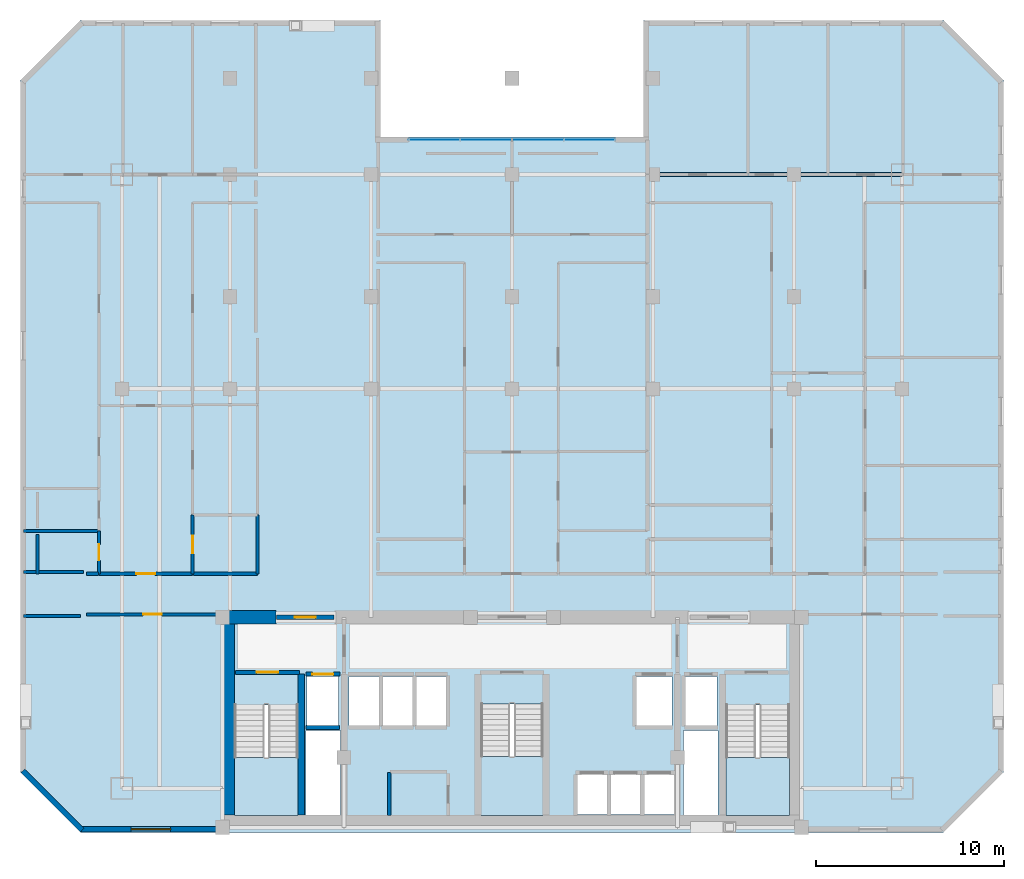
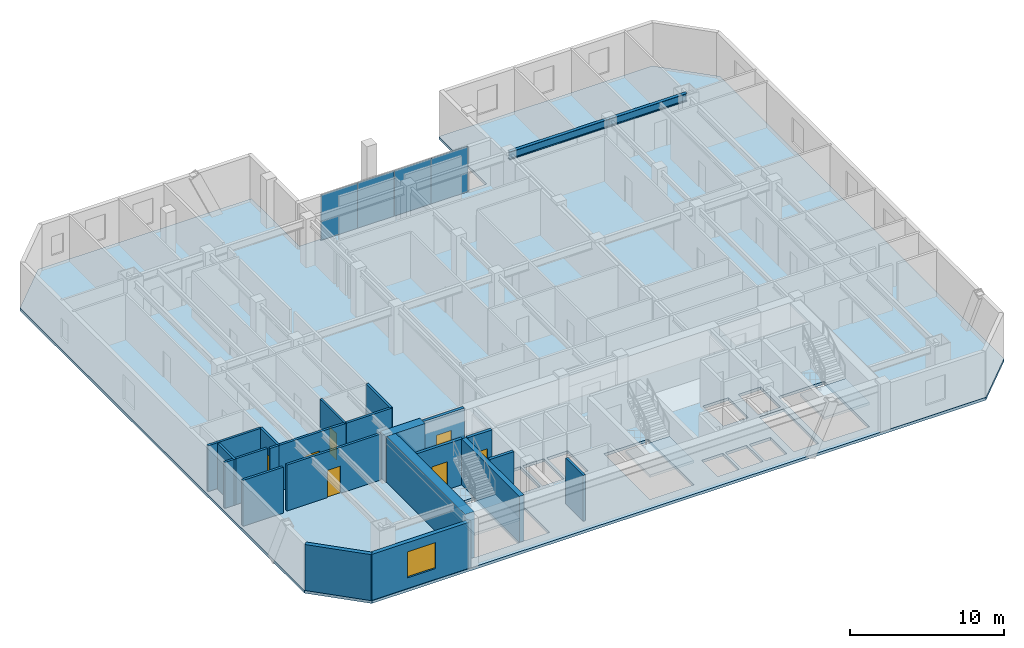
# One storey, part 3 of 9: 21 walls, 7 doors, 4 plates, 4 slabs, 2 beams, 1 window, 8 openings, 4 elements without a shape of their own.
"""IFC4 building model written with IfcOpenShell, lengths in metres."""

from ifc_helpers import new_model, si_unit, direction, frame, frame_2d, origin, origin_2d, place, context, subcontext, project, spatial, polyline, rectangle, i_section, outline, extrude, material, layer, layer_set, material_profile, profile_set, type_object, element, fill, aggregate, save


model = new_model("IFC4")

# Units and contexts
model_context = context("Model", 3, precision=1e-05, world=origin(), true_north=direction((0.0, 1.0)))
body_context = subcontext(model_context, "Body", "Model", "MODEL_VIEW")
ifc_project = project(units=[si_unit("LENGTHUNIT", "METRE"), si_unit("AREAUNIT", "SQUARE_METRE"), si_unit("VOLUMEUNIT", "CUBIC_METRE"), si_unit("PLANEANGLEUNIT", "RADIAN"), si_unit("MASSUNIT", "GRAM", prefix="KILO")], contexts=[model_context])

# Site, building, storey
site_placement = place(None, origin())
site = spatial("IfcSite", under=ifc_project, at=site_placement, CompositionType="ELEMENT")
building_placement = place(site_placement, origin())
building = spatial("IfcBuilding", under=site, at=building_placement, Name="Ventersveld Concourse Tower", CompositionType="ELEMENT")
storey_placement = place(building_placement, frame((0.0, 0.0, 145.199951171875)))
storey = spatial("IfcBuildingStorey", under=building, at=storey_placement, Name="L35", CompositionType="ELEMENT", Elevation=145.199951171875)

# Beams
ifc_material_1 = material(Name="Structural steel S355J2", Category="steel")
ifc_material_profile = material_profile(ifc_material_1, i_section(OverallWidth=0.230224609375, OverallDepth=0.6171875, WebThickness=0.01318359375, FlangeThickness=0.022216796875, FilletRadius=0.0126953125, at=origin_2d()), Name="UB 610x229x140")
ifc_profile_set = profile_set([ifc_material_profile], Name="Structural steel S355J2")
beam_type = type_object("IfcBeamType", Name="GRD-UB610", PredefinedType="USERDEFINED", material=ifc_profile_set)
beam_1_placement = place(storey_placement, frame((36.25, 35.0, 3.321533203125), z_axis=(1.0, 0.0, 0.0), x_axis=(0.0, 1.0, 0.0)))
element("IfcBeam", 1, at=beam_1_placement, inside=storey, type_object=beam_type, Name="L35 E-W Grid Girder Y=35.00 #5", ObjectType="GIRDER", PredefinedType="USERDEFINED", context=body_context, shape_type="SweptSolid", body=[
    extrude(i_section(OverallWidth=0.230224609375, OverallDepth=0.6171875, WebThickness=0.01318359375, FlangeThickness=0.022216796875, FilletRadius=0.0126953125, at=origin_2d()), origin(), (0.0, 0.0, 1.0), 7.5),
])
beam_2_placement = place(storey_placement, frame((43.75, 35.0, 3.321533203125), z_axis=(1.0, 0.0, 0.0), x_axis=(0.0, 1.0, 0.0)))
element("IfcBeam", 2, at=beam_2_placement, inside=storey, type_object=beam_type, Name="L35 E-W Grid Girder Y=35.00 #6", ObjectType="GIRDER", PredefinedType="USERDEFINED", context=body_context, shape_type="SweptSolid", body=[
    extrude(i_section(OverallWidth=0.230224609375, OverallDepth=0.6171875, WebThickness=0.01318359375, FlangeThickness=0.022216796875, FilletRadius=0.0126953125, at=origin_2d()), origin(), (0.0, 0.0, 1.0), 5.75),
])

# Curtain wall, plates
ifc_material_2 = material(Name="Anodised aluminium EN AW-6063-T6", Category="aluminium")
curtain_wall_type = type_object("IfcCurtainWallType", Name="CW-SG-4", PredefinedType="NOTDEFINED", material=ifc_material_2)
curtain_wall_placement = place(storey_placement, origin())
curtain_wall = element("IfcCurtainWall", 3, at=curtain_wall_placement, inside=storey, type_object=curtain_wall_type, Name="L35 L35 Sky Garden Recessed Curtain Wall", PredefinedType="NOTDEFINED")
ifc_material_3 = material(Name="Low-E double glazing IGU", Category="glass")
ifc_layer_1 = layer(ifc_material_3, 0.02392578125)
ifc_layer_set_1 = layer_set([ifc_layer_1], Name="Low-E double glazing IGU")
plate_type = type_object("IfcPlateType", Name="CWP-GLZ-24", PredefinedType="CURTAIN_PANEL", material=ifc_layer_set_1)
plate_1_placement = place(storey_placement, frame((24.625, 36.85009765625, 0.02001953125), z_axis=(0.0, 0.0, 1.0), x_axis=(1.0, 0.0, 0.0)))
plate_1 = element("IfcPlate", 4, at=plate_1_placement, type_object=plate_type, Name="CW-L35-SG Glazed Panel 01-1", PredefinedType="CURTAIN_PANEL", context=body_context, shape_type="SweptSolid", body=[
    extrude(rectangle(XDim=2.739990234375, YDim=0.02392578125, at=origin_2d()), origin(), (0.0, 0.0, 1.0), 3.590087890625),
])
plate_2_placement = place(storey_placement, frame((27.375, 36.85009765625, 0.02001953125), z_axis=(0.0, 0.0, 1.0), x_axis=(1.0, 0.0, 0.0)))
plate_2 = element("IfcPlate", 5, at=plate_2_placement, type_object=plate_type, Name="CW-L35-SG Glazed Panel 02-1", PredefinedType="CURTAIN_PANEL", context=body_context, shape_type="SweptSolid", body=[
    extrude(rectangle(XDim=2.739990234375, YDim=0.02392578125, at=origin_2d()), origin(), (0.0, 0.0, 1.0), 3.590087890625),
])
plate_3_placement = place(storey_placement, frame((30.125, 36.85009765625, 0.02001953125), z_axis=(0.0, 0.0, 1.0), x_axis=(1.0, 0.0, 0.0)))
plate_3 = element("IfcPlate", 6, at=plate_3_placement, type_object=plate_type, Name="CW-L35-SG Glazed Panel 03-1", PredefinedType="CURTAIN_PANEL", context=body_context, shape_type="SweptSolid", body=[
    extrude(rectangle(XDim=2.739990234375, YDim=0.02392578125, at=origin_2d()), origin(), (0.0, 0.0, 1.0), 3.590087890625),
])
plate_4_placement = place(storey_placement, frame((32.875, 36.85009765625, 0.02001953125), z_axis=(0.0, 0.0, 1.0), x_axis=(1.0, 0.0, 0.0)))
plate_4 = element("IfcPlate", 7, at=plate_4_placement, type_object=plate_type, Name="CW-L35-SG Glazed Panel 04-1", PredefinedType="CURTAIN_PANEL", context=body_context, shape_type="SweptSolid", body=[
    extrude(rectangle(XDim=2.739990234375, YDim=0.02392578125, at=origin_2d()), origin(), (0.0, 0.0, 1.0), 3.590087890625),
])
aggregate(curtain_wall, [plate_1, plate_2, plate_3, plate_4])

# Slab
ifc_material_4 = material(Name="Concrete C50/60", Category="concrete")
ifc_layer_2 = layer(ifc_material_4, 0.219970703125)
ifc_layer_set_2 = layer_set([ifc_layer_2], Name="Concrete C50/60")
slab_type_1 = type_object("IfcSlabType", Name="SL-FLR-220", PredefinedType="FLOOR", material=ifc_layer_set_2)
slab_1_placement = place(storey_placement, frame((0.0, 0.0, -0.219970703125)))
element("IfcSlab", 8, at=slab_1_placement, inside=storey, type_object=slab_type_1, Name="L35 Composite Floor Slab", PredefinedType="FLOOR", context=body_context, shape_type="SweptSolid", body=[
    extrude(outline(polyline([(5.800048828125, 0.0), (51.699951171875, 0.0), (54.89990234375, 3.199951171875), (54.89990234375, 40.0), (51.699951171875, 43.199951171875), (35.75, 43.199951171875), (35.75, 37.0), (21.75, 37.0), (21.75, 43.199951171875), (5.800048828125, 43.199951171875), (2.60009765625, 40.0), (2.60009765625, 3.199951171875), (5.800048828125, 0.0)]), holes=[polyline([(13.97998046875, 6.794921875), (13.97998046875, 0.89990234375), (17.3798828125, 0.89990234375), (17.3798828125, 6.794921875), (13.97998046875, 6.794921875)]), polyline([(40.1201171875, 6.794921875), (40.1201171875, 0.89990234375), (43.52001953125, 0.89990234375), (43.52001953125, 6.794921875), (40.1201171875, 6.794921875)]), polyline([(27.10009765625, 6.844970703125), (27.10009765625, 0.89990234375), (30.39990234375, 0.89990234375), (30.39990234375, 6.844970703125), (27.10009765625, 6.844970703125)]), polyline([(17.85009765625, 5.699951171875), (19.530029296875, 5.699951171875), (19.530029296875, 8.300048828125), (17.85009765625, 8.300048828125), (17.85009765625, 5.699951171875)]), polyline([(37.969970703125, 5.699951171875), (39.64990234375, 5.699951171875), (39.64990234375, 8.300048828125), (37.969970703125, 8.300048828125), (37.969970703125, 5.699951171875)]), polyline([(35.35009765625, 5.699951171875), (37.25, 5.699951171875), (37.25, 8.300048828125), (35.35009765625, 8.300048828125), (35.35009765625, 5.699951171875)]), polyline([(32.2099609375, 0.949951171875), (33.81005859375, 0.949951171875), (33.81005859375, 3.050048828125), (32.2099609375, 3.050048828125), (32.2099609375, 0.949951171875)]), polyline([(33.989990234375, 0.949951171875), (35.590087890625, 0.949951171875), (35.590087890625, 3.050048828125), (33.989990234375, 3.050048828125), (33.989990234375, 0.949951171875)]), polyline([(35.77001953125, 0.949951171875), (37.3701171875, 0.949951171875), (37.3701171875, 3.050048828125), (35.77001953125, 3.050048828125), (35.77001953125, 0.949951171875)]), polyline([(20.090087890625, 5.699951171875), (21.68994140625, 5.699951171875), (21.68994140625, 8.300048828125), (20.090087890625, 8.300048828125), (20.090087890625, 5.699951171875)]), polyline([(21.8701171875, 5.699951171875), (23.469970703125, 5.699951171875), (23.469970703125, 8.300048828125), (21.8701171875, 8.300048828125), (21.8701171875, 5.699951171875)]), polyline([(23.64990234375, 5.699951171875), (25.25, 5.699951171875), (25.25, 8.300048828125), (23.64990234375, 8.300048828125), (23.64990234375, 5.699951171875)]), polyline([(17.780029296875, 0.919921875), (19.6201171875, 0.919921875), (19.6201171875, 5.419921875), (17.780029296875, 5.419921875), (17.780029296875, 0.919921875)]), polyline([(37.8798828125, 0.919921875), (39.719970703125, 0.919921875), (39.719970703125, 5.419921875), (37.8798828125, 5.419921875), (37.8798828125, 0.919921875)])]), origin(), (0.0, 0.0, 1.0), 0.219970703125),
])

# Stair, slab
stair_type_1 = type_object("IfcStairType", Name="ST-DOG-160", PredefinedType="HALF_TURN_STAIR", material=ifc_material_4)
stair_1_placement = place(storey_placement, origin())
stair_1 = element("IfcStair", 9, at=stair_1_placement, inside=storey, type_object=stair_type_1, Name="L35 Protected Tower Escape Stair ST-01", PredefinedType="HALF_TURN_STAIR")
ifc_layer_3 = layer(ifc_material_4, 0.199951171875)
ifc_layer_set_3 = layer_set([ifc_layer_3], Name="Concrete C50/60")
slab_type_2 = type_object("IfcSlabType", Name="SL-LND-200", PredefinedType="LANDING", material=ifc_layer_set_3)
slab_2_placement = place(storey_placement, frame((0.0, 0.0, 1.72509765625)))
slab_2 = element("IfcSlab", 10, at=slab_2_placement, type_object=slab_type_2, Name="ST-01 landing 1", PredefinedType="LANDING", context=body_context, shape_type="SweptSolid", body=[
    extrude(outline(polyline([(13.97998046875, 4.0), (13.97998046875, 0.89990234375), (17.3798828125, 0.89990234375), (17.3798828125, 4.0), (13.97998046875, 4.0)])), origin(), (0.0, 0.0, 1.0), 0.199951171875),
])
aggregate(stair_1, [slab_2])

stair_2_placement = place(storey_placement, origin())
stair_2 = element("IfcStair", 11, at=stair_2_placement, inside=storey, type_object=stair_type_1, Name="L35 Protected Tower Escape Stair ST-02", PredefinedType="HALF_TURN_STAIR")
slab_3_placement = place(storey_placement, frame((0.0, 0.0, 1.72509765625)))
slab_3 = element("IfcSlab", 12, at=slab_3_placement, type_object=slab_type_2, Name="ST-02 landing 1", PredefinedType="LANDING", context=body_context, shape_type="SweptSolid", body=[
    extrude(outline(polyline([(40.1201171875, 4.0), (40.1201171875, 0.89990234375), (43.52001953125, 0.89990234375), (43.52001953125, 4.0), (40.1201171875, 4.0)])), origin(), (0.0, 0.0, 1.0), 0.199951171875),
])
aggregate(stair_2, [slab_3])

stair_type_2 = type_object("IfcStairType", Name="ST-DOG-155", PredefinedType="HALF_TURN_STAIR", material=ifc_material_4)
stair_3_placement = place(storey_placement, origin())
stair_3 = element("IfcStair", 13, at=stair_3_placement, inside=storey, type_object=stair_type_2, Name="L35 Protected Central Core Escape Stair ST-03", PredefinedType="HALF_TURN_STAIR")
slab_4_placement = place(storey_placement, frame((0.0, 0.0, 1.72509765625)))
slab_4 = element("IfcSlab", 14, at=slab_4_placement, type_object=slab_type_2, Name="ST-03 landing 1", PredefinedType="LANDING", context=body_context, shape_type="SweptSolid", body=[
    extrude(outline(polyline([(27.10009765625, 4.050048828125), (27.10009765625, 0.89990234375), (30.39990234375, 0.89990234375), (30.39990234375, 4.050048828125), (27.10009765625, 4.050048828125)])), origin(), (0.0, 0.0, 1.0), 0.199951171875),
])
aggregate(stair_3, [slab_4])

# Walls
ifc_material_5 = material(Name="Concrete C60/75", Category="concrete")
ifc_layer_4 = layer(ifc_material_5, 0.35009765625)
ifc_layer_set_4 = layer_set([ifc_layer_4], Name="Concrete C60/75")
wall_type_1 = type_object("IfcWallType", Name="WL-CORE-350L", PredefinedType="SHEAR", material=ifc_layer_set_4)
wall_1_placement = place(storey_placement, frame((17.5400390625, 0.919921875, 0.0), z_axis=(0.0, 0.0, 1.0), x_axis=(0.0, 1.0, 0.0)))
element("IfcWall", 15, at=wall_1_placement, inside=storey, type_object=wall_type_1, Name="L35 Core Internal Shear Web W-ST1-E", PredefinedType="SHEAR", context=body_context, shape_type="SweptSolid", body=[
    extrude(rectangle(XDim=7.5, YDim=0.35009765625, at=frame_2d((3.75, 0.0))), origin(), (0.0, 0.0, 1.0), 3.630126953125),
])
ifc_layer_5 = layer(ifc_material_5, 0.699951171875)
ifc_layer_set_5 = layer_set([ifc_layer_5], Name="Concrete C60/75")
wall_type_2 = type_object("IfcWallType", Name="WL-CORE-700", PredefinedType="SHEAR", material=ifc_layer_set_5)
wall_2_placement = place(storey_placement, frame((13.64990234375, 0.919921875, 0.0), z_axis=(0.0, 0.0, 1.0), x_axis=(0.0, 1.0, 0.0)))
element("IfcWall", 16, at=wall_2_placement, inside=storey, type_object=wall_type_2, Name="L35 Rear Core West Shear Wall", PredefinedType="SHEAR", context=body_context, shape_type="SweptSolid", body=[
    extrude(rectangle(XDim=10.530029296875, YDim=0.699951171875, at=frame_2d((5.26513671875, 0.0))), origin(), (0.0, 0.0, 1.0), 3.630126953125),
])
wall_3_placement = place(storey_placement, frame((13.25, 11.449951171875, 0.0), z_axis=(0.0, 0.0, 1.0), x_axis=(1.0, 0.0, 0.0)))
element("IfcWall", 17, at=wall_3_placement, inside=storey, type_object=wall_type_2, Name="L35 Rear Core North Shear Wall NW", PredefinedType="SHEAR", context=body_context, shape_type="SweptSolid", body=[
    extrude(rectangle(XDim=2.949951171875, YDim=0.699951171875, at=frame_2d((1.47509765625, 0.0))), origin(), (0.0, 0.0, 1.0), 3.630126953125),
])
ifc_material_6 = material(Name="Fire-rated autoclaved aerated masonry blockwork", Category="masonry")
ifc_layer_6 = layer(ifc_material_6, 0.179931640625)
ifc_layer_set_6 = layer_set([ifc_layer_6], Name="Fire-rated autoclaved aerated masonry blockwork")
wall_type_3 = type_object("IfcWallType", Name="WL-CORR-180", PredefinedType="PARTITIONING", material=ifc_layer_set_6)
wall_4_placement = place(storey_placement, frame((22.219970703125, 0.909912109375, 0.0), z_axis=(0.0, 0.0, 1.0), x_axis=(0.0, 1.0, 0.0)))
element("IfcWall", 18, at=wall_4_placement, inside=storey, type_object=wall_type_3, Name="L35 Core West Wall SP-L35-RECB1", PredefinedType="PARTITIONING", context=body_context, shape_type="SweptSolid", body=[
    extrude(rectangle(XDim=2.280029296875, YDim=0.179931640625, at=frame_2d((1.14013671875, 0.0))), origin(), (0.0, 0.0, 1.0), 3.630126953125),
])

# Wall, opening, door
wall_5_placement = place(storey_placement, frame((6.10498046875, 11.60009765625, 0.0), z_axis=(0.0, 0.0, 1.0), x_axis=(1.0, 0.0, 0.0)))
wall_5 = element("IfcWall", 19, at=wall_5_placement, inside=storey, type_object=wall_type_3, Name="L35 Interior Partition SP-L35-SW-GAL-SP-L35-COR", PredefinedType="PARTITIONING", context=body_context, shape_type="SweptSolid", body=[
    extrude(rectangle(XDim=7.0400390625, YDim=0.179931640625, at=frame_2d((3.52001953125, 0.0))), origin(), (0.0, 0.0, 1.0), 3.630126953125),
])
opening_1_placement = place(wall_5_placement, frame((3.02001953125, 0.0, 0.0)))
opening_1 = element("IfcOpeningElement", 20, at=opening_1_placement, cuts=wall_5, Name="Opening FD3", PredefinedType="OPENING", context=body_context, shape_type="SweptSolid", body=[
    extrude(rectangle(XDim=1.0, YDim=2.14990234375, at=frame_2d((0.5, 1.074951171875))), frame((0.0, 0.10009765625, 0.0), z_axis=(0.0, -1.0, 0.0), x_axis=(1.0, 0.0, 0.0)), (0.0, 0.0, 1.0), 0.199951171875),
])
ifc_material_7 = material(Name="Solid-core hardwood veneer timber", Category="wood")
door_type_1 = type_object("IfcDoorType", Name="DR-FLAT-100", OperationType="NOTDEFINED", PredefinedType="DOOR", material=ifc_material_7)
door_1_placement = place(opening_1_placement, origin())
door_1 = element("IfcDoor", 21, at=door_1_placement, inside=storey, type_object=door_type_1, Name="L35 Interior Door SP-L35-SW-GAL to SP-L35-COR (D-L35-1708)", OperationType="SINGLE_SWING_RIGHT", OverallHeight=2.14990234375, OverallWidth=1.0, PredefinedType="DOOR", context=body_context, shape_type="SweptSolid", body=[
    extrude(rectangle(XDim=1.0, YDim=2.14990234375, at=frame_2d((0.5, 1.074951171875))), frame((0.0, 0.02490234375, 0.0), z_axis=(0.0, -1.0, 0.0), x_axis=(1.0, 0.0, 0.0)), (0.0, 0.0, 1.0), 0.050048828125),
])
fill(opening_1, door_1)

wall_6_placement = place(storey_placement, frame((6.776611328125, 13.77001953125, 0.0), z_axis=(0.0, 0.0, 1.0), x_axis=(1.0, 0.0, 0.0)))
wall_6 = element("IfcWall", 22, at=wall_6_placement, inside=storey, type_object=wall_type_3, Name="L35 Interior Partition SP-L35-COR-SP-L35-35NW-FOY", PredefinedType="PARTITIONING", context=body_context, shape_type="SweptSolid", body=[
    extrude(rectangle(XDim=4.989990234375, YDim=0.179931640625, at=frame_2d((2.4951171875, 0.0))), origin(), (0.0, 0.0, 1.0), 3.630126953125),
])
opening_2_placement = place(wall_6_placement, frame((1.9951171875, 0.0, 0.0)))
opening_2 = element("IfcOpeningElement", 23, at=opening_2_placement, cuts=wall_6, Name="Opening FD3", PredefinedType="OPENING", context=body_context, shape_type="SweptSolid", body=[
    extrude(rectangle(XDim=1.0, YDim=2.14990234375, at=frame_2d((0.5, 1.074951171875))), frame((0.0, 0.10009765625, 0.0), z_axis=(0.0, -1.0, 0.0), x_axis=(1.0, 0.0, 0.0)), (0.0, 0.0, 1.0), 0.199951171875),
])
door_2_placement = place(opening_2_placement, origin())
door_2 = element("IfcDoor", 24, at=door_2_placement, inside=storey, type_object=door_type_1, Name="L35 Interior Door SP-L35-COR to SP-L35-35NW-FOY (FD-L35-1710)", OperationType="SINGLE_SWING_RIGHT", OverallHeight=2.14990234375, OverallWidth=1.0, PredefinedType="DOOR", context=body_context, shape_type="SweptSolid", body=[
    extrude(rectangle(XDim=1.0, YDim=2.14990234375, at=frame_2d((0.5, 1.074951171875))), frame((0.0, 0.02490234375, 0.0), z_axis=(0.0, -1.0, 0.0), x_axis=(1.0, 0.0, 0.0)), (0.0, 0.0, 1.0), 0.050048828125),
])
fill(opening_2, door_2)

# Walls
wall_7_placement = place(storey_placement, frame((6.10498046875, 13.77001953125, 0.0), z_axis=(0.0, 0.0, 1.0), x_axis=(1.0, 0.0, 0.0)))
element("IfcWall", 25, at=wall_7_placement, inside=storey, type_object=wall_type_3, Name="L35 Interior Partition SP-L35-COR-SP-L35-35NW-BATH", PredefinedType="PARTITIONING", context=body_context, shape_type="SweptSolid", body=[
    extrude(rectangle(XDim=0.6416015625, YDim=0.179931640625, at=frame_2d((0.32080078125, 0.0))), origin(), (0.0, 0.0, 1.0), 3.630126953125),
])
wall_8_placement = place(storey_placement, frame((11.796630859375, 13.77001953125, 0.0), z_axis=(0.0, 0.0, 1.0), x_axis=(1.0, 0.0, 0.0)))
element("IfcWall", 26, at=wall_8_placement, inside=storey, type_object=wall_type_3, Name="L35 Interior Partition SP-L35-COR-SP-L35-35NW-KIT", PredefinedType="PARTITIONING", context=body_context, shape_type="SweptSolid", body=[
    extrude(rectangle(XDim=3.41845703125, YDim=0.179931640625, at=frame_2d((1.709228515625, 0.0))), origin(), (0.0, 0.0, 1.0), 3.630126953125),
])
wall_9_placement = place(storey_placement, frame((15.2099609375, 13.764892578125, 0.0), z_axis=(0.0, 0.0, 1.0), x_axis=(0.0, 1.0, 0.0)))
element("IfcWall", 27, at=wall_9_placement, inside=storey, type_object=wall_type_3, Name="L35 Interior Partition SP-L35-COR-SP-L35-35NW-KIT", PredefinedType="PARTITIONING", context=body_context, shape_type="SweptSolid", body=[
    extrude(rectangle(XDim=3.12744140625, YDim=0.179931640625, at=frame_2d((1.563720703125, 0.0))), origin(), (0.0, 0.0, 1.0), 3.630126953125),
])
wall_10_placement = place(storey_placement, frame((2.7724609375, 11.52001953125, 0.0), z_axis=(0.0, 0.0, 1.0), x_axis=(1.0, 0.0, 0.0)))
element("IfcWall", 28, at=wall_10_placement, inside=storey, type_object=wall_type_3, Name="L35 Room Enclosure Wall SP-L35-SW-GAL", PredefinedType="PARTITIONING", context=body_context, shape_type="SweptSolid", body=[
    extrude(rectangle(XDim=3.015380859375, YDim=0.179931640625, at=frame_2d((1.5078125, 0.0))), origin(), (0.0, 0.0, 1.0), 3.630126953125),
])
ifc_layer_7 = layer(ifc_material_6, 0.219970703125)
ifc_layer_set_7 = layer_set([ifc_layer_7], Name="Fire-rated autoclaved aerated masonry blockwork")
wall_type_4 = type_object("IfcWallType", Name="WL-HOIST-220", PredefinedType="SOLIDWALL", material=ifc_layer_set_7)
wall_11_placement = place(storey_placement, frame((17.800048828125, 5.590087890625, 0.0), z_axis=(0.0, 0.0, 1.0), x_axis=(1.0, 0.0, 0.0)))
element("IfcWall", 29, at=wall_11_placement, inside=storey, type_object=wall_type_4, Name="L35 Lift Hoistway Back Wall FFL-01", PredefinedType="SOLIDWALL", context=body_context, shape_type="SweptSolid", body=[
    extrude(rectangle(XDim=1.780029296875, YDim=0.219970703125, at=frame_2d((0.89013671875, 0.0))), origin(), (0.0, 0.0, 1.0), 3.630126953125),
])

# Wall, opening, door
wall_12_placement = place(storey_placement, frame((17.780029296875, 8.429931640625, 0.0), z_axis=(0.0, 0.0, 1.0), x_axis=(1.0, 0.0, 0.0)))
wall_12 = element("IfcWall", 30, at=wall_12_placement, inside=storey, type_object=wall_type_4, Name="L35 Lift Hoistway Front Wall FFL-01", PredefinedType="SOLIDWALL", context=body_context, shape_type="SweptSolid", body=[
    extrude(rectangle(XDim=1.820068359375, YDim=0.219970703125, at=frame_2d((0.91015625, 0.0))), origin(), (0.0, 0.0, 1.0), 3.630126953125),
])
opening_3_placement = place(wall_12_placement, frame((0.35009765625, 0.0, 0.0)))
opening_3 = element("IfcOpeningElement", 31, at=opening_3_placement, cuts=wall_12, Name="Opening LD1", PredefinedType="OPENING", context=body_context, shape_type="SweptSolid", body=[
    extrude(rectangle(XDim=1.1201171875, YDim=2.25, at=frame_2d((0.56005859375, 1.125))), frame((0.0, 0.1201171875, 0.0), z_axis=(0.0, -1.0, 0.0), x_axis=(1.0, 0.0, 0.0)), (0.0, 0.0, 1.0), 0.239990234375),
])
ifc_material_8 = material(Name="Brushed stainless steel 316", Category="steel")
door_type_2 = type_object("IfcDoorType", Name="LD-FF-112", OperationType="SLIDING_TO_LEFT", PredefinedType="DOOR", material=ifc_material_8)
door_3_placement = place(opening_3_placement, origin())
door_3 = element("IfcDoor", 32, at=door_3_placement, inside=storey, type_object=door_type_2, Name="L35 Lift landing door FFL-01 (LD-L35-FFL-01)", OperationType="SLIDING_TO_LEFT", OverallHeight=2.25, OverallWidth=1.1201171875, PredefinedType="DOOR", context=body_context, shape_type="SweptSolid", body=[
    extrude(rectangle(XDim=1.1201171875, YDim=2.25, at=frame_2d((0.56005859375, 1.125))), frame((0.0, 0.02490234375, 0.0), z_axis=(0.0, -1.0, 0.0), x_axis=(1.0, 0.0, 0.0)), (0.0, 0.0, 1.0), 0.050048828125),
])
fill(opening_3, door_3)

wall_13_placement = place(storey_placement, frame((14.0400390625, 8.52001953125, 0.0), z_axis=(0.0, 0.0, 1.0), x_axis=(1.0, 0.0, 0.0)))
wall_13 = element("IfcWall", 33, at=wall_13_placement, inside=storey, type_object=wall_type_4, Name="L35 Escape Stair ST01 Fire Wall", PredefinedType="SOLIDWALL", context=body_context, shape_type="SweptSolid", body=[
    extrude(rectangle(XDim=3.39990234375, YDim=0.219970703125, at=frame_2d((1.699951171875, 0.0))), origin(), (0.0, 0.0, 1.0), 3.630126953125),
])
opening_4_placement = place(wall_13_placement, frame((1.125, 0.0, 0.0)))
opening_4 = element("IfcOpeningElement", 34, at=opening_4_placement, cuts=wall_13, Name="Opening FD1", PredefinedType="OPENING", context=body_context, shape_type="SweptSolid", body=[
    extrude(rectangle(XDim=1.14990234375, YDim=2.199951171875, at=frame_2d((0.574951171875, 1.10009765625))), frame((0.0, 0.1201171875, 0.0), z_axis=(0.0, -1.0, 0.0), x_axis=(1.0, 0.0, 0.0)), (0.0, 0.0, 1.0), 0.239990234375),
])
ifc_material_9 = material(Name="Galvanised painted steel", Category="steel")
door_type_3 = type_object("IfcDoorType", Name="DR-STAIR-115", OperationType="NOTDEFINED", PredefinedType="DOOR", material=ifc_material_9)
door_4_placement = place(opening_4_placement, origin())
door_4 = element("IfcDoor", 35, at=door_4_placement, inside=storey, type_object=door_type_3, Name="L35 Escape Stair Door ST01 (SD-L35-1699)", OperationType="SINGLE_SWING_LEFT", OverallHeight=2.199951171875, OverallWidth=1.14990234375, PredefinedType="DOOR", context=body_context, shape_type="SweptSolid", body=[
    extrude(rectangle(XDim=1.14990234375, YDim=2.199951171875, at=frame_2d((0.574951171875, 1.10009765625))), frame((0.0, 0.02490234375, 0.0), z_axis=(0.0, -1.0, 0.0), x_axis=(1.0, 0.0, 0.0)), (0.0, 0.0, 1.0), 0.050048828125),
])
fill(opening_4, door_4)

wall_14_placement = place(storey_placement, frame((16.22998046875, 11.449951171875, 0.0), z_axis=(0.0, 0.0, 1.0), x_axis=(1.0, 0.0, 0.0)))
wall_14 = element("IfcWall", 36, at=wall_14_placement, inside=storey, type_object=wall_type_4, Name="L35 Core North Fire Portal FFLW-OUT", PredefinedType="SOLIDWALL", context=body_context, shape_type="SweptSolid", body=[
    extrude(rectangle(XDim=3.0400390625, YDim=0.219970703125, at=frame_2d((1.52001953125, 0.0))), origin(), (0.0, 0.0, 1.0), 3.630126953125),
])
opening_5_placement = place(wall_14_placement, frame((0.969970703125, 0.0, 0.0)))
opening_5 = element("IfcOpeningElement", 37, at=opening_5_placement, cuts=wall_14, Name="Opening FD2", PredefinedType="OPENING", context=body_context, shape_type="SweptSolid", body=[
    extrude(rectangle(XDim=1.10009765625, YDim=2.199951171875, at=frame_2d((0.550048828125, 1.10009765625))), frame((0.0, 0.1201171875, 0.0), z_axis=(0.0, -1.0, 0.0), x_axis=(1.0, 0.0, 0.0)), (0.0, 0.0, 1.0), 0.239990234375),
])
door_type_4 = type_object("IfcDoorType", Name="DR-FFL-110", OperationType="NOTDEFINED", PredefinedType="DOOR", material=ifc_material_9)
door_5_placement = place(opening_5_placement, origin())
door_5 = element("IfcDoor", 38, at=door_5_placement, inside=storey, type_object=door_type_4, Name="L35 Core Lobby Fire Door FFLW-OUT (FD-L35-1704)", OperationType="SINGLE_SWING_RIGHT", OverallHeight=2.199951171875, OverallWidth=1.10009765625, PredefinedType="DOOR", context=body_context, shape_type="SweptSolid", body=[
    extrude(rectangle(XDim=1.10009765625, YDim=2.199951171875, at=frame_2d((0.550048828125, 1.10009765625))), frame((0.0, 0.02490234375, 0.0), z_axis=(0.0, -1.0, 0.0), x_axis=(1.0, 0.0, 0.0)), (0.0, 0.0, 1.0), 0.050048828125),
])
fill(opening_5, door_5)

ifc_material_10 = material(Name="Autoclaved aerated masonry blockwork", Category="masonry")
ifc_layer_8 = layer(ifc_material_10, 0.14990234375)
ifc_layer_set_8 = layer_set([ifc_layer_8], Name="Autoclaved aerated masonry blockwork")
wall_type_5 = type_object("IfcWallType", Name="WL-INT-150", PredefinedType="PARTITIONING", material=ifc_layer_set_8)
wall_15_placement = place(storey_placement, frame((11.76171875, 13.764892578125, 0.0), z_axis=(0.0, 0.0, 1.0), x_axis=(0.0, 1.0, 0.0)))
wall_15 = element("IfcWall", 39, at=wall_15_placement, inside=storey, type_object=wall_type_5, Name="L35 Interior Partition SP-L35-35NW-FOY-SP-L35-35NW-KIT", PredefinedType="PARTITIONING", context=body_context, shape_type="SweptSolid", body=[
    extrude(rectangle(XDim=3.12744140625, YDim=0.14990234375, at=frame_2d((1.563720703125, 0.0))), origin(), (0.0, 0.0, 1.0), 3.630126953125),
])
opening_6_placement = place(wall_15_placement, frame((1.103515625, 0.0, 0.0)))
opening_6 = element("IfcOpeningElement", 40, at=opening_6_placement, cuts=wall_15, Name="Opening ID1", PredefinedType="OPENING", context=body_context, shape_type="SweptSolid", body=[
    extrude(rectangle(XDim=0.919921875, YDim=2.10009765625, at=frame_2d((0.4599609375, 1.050048828125))), frame((0.0, 0.0849609375, 0.0), z_axis=(0.0, -1.0, 0.0), x_axis=(1.0, 0.0, 0.0)), (0.0, 0.0, 1.0), 0.169921875),
])
door_type_5 = type_object("IfcDoorType", Name="DR-ROOM-092", OperationType="NOTDEFINED", PredefinedType="DOOR", material=ifc_material_7)
door_6_placement = place(opening_6_placement, origin())
door_6 = element("IfcDoor", 41, at=door_6_placement, inside=storey, type_object=door_type_5, Name="L35 Interior Door SP-L35-35NW-FOY to SP-L35-35NW-KIT (D-L35-1717)", OperationType="SINGLE_SWING_LEFT", OverallHeight=2.10009765625, OverallWidth=0.919921875, PredefinedType="DOOR", context=body_context, shape_type="SweptSolid", body=[
    extrude(rectangle(XDim=0.919921875, YDim=2.10009765625, at=frame_2d((0.4599609375, 1.050048828125))), frame((0.0, 0.02490234375, 0.0), z_axis=(0.0, -1.0, 0.0), x_axis=(1.0, 0.0, 0.0)), (0.0, 0.0, 1.0), 0.050048828125),
])
fill(opening_6, door_6)

# Wall, opening, window
ifc_material_11 = material(Name="Precast concrete C45/55", Category="concrete")
ifc_layer_9 = layer(ifc_material_11, 0.300048828125)
ifc_layer_set_9 = layer_set([ifc_layer_9], Name="Precast concrete C45/55")
wall_type_6 = type_object("IfcWallType", Name="WL-PREC-300", PredefinedType="SOLIDWALL", material=ifc_layer_set_9)
wall_16_placement = place(storey_placement, frame((5.840087890625, 0.179931640625, 0.0), z_axis=(0.0, 0.0, 1.0), x_axis=(1.0, 0.0, 0.0)))
wall_16 = element("IfcWall", 42, at=wall_16_placement, inside=storey, type_object=wall_type_6, Name="L35 South-West Flank Precast Wall", PredefinedType="SOLIDWALL", context=body_context, shape_type="SweptSolid", body=[
    extrude(rectangle(XDim=7.409912109375, YDim=0.300048828125, at=frame_2d((3.705078125, 0.0))), origin(), (0.0, 0.0, 1.0), 3.630126953125),
])
opening_7_placement = place(wall_16_placement, frame((2.655029296875, 0.0, 0.85009765625)))
opening_7 = element("IfcOpeningElement", 43, at=opening_7_placement, cuts=wall_16, Name="Opening W7", PredefinedType="OPENING", context=body_context, shape_type="SweptSolid", body=[
    extrude(rectangle(XDim=2.10009765625, YDim=2.050048828125, at=frame_2d((1.050048828125, 1.02490234375))), frame((0.0, 0.16015625, 0.0), z_axis=(0.0, -1.0, 0.0), x_axis=(1.0, 0.0, 0.0)), (0.0, 0.0, 1.0), 0.320068359375),
])
ifc_material_12 = material(Name="Tempered acoustic Low-E IGU", Category="glass")
window_type = type_object("IfcWindowType", Name="WIN-210x205", PartitioningType="SINGLE_PANEL", PredefinedType="WINDOW", material=ifc_material_12)
window_placement = place(opening_7_placement, origin())
window = element("IfcWindow", 44, at=window_placement, inside=storey, type_object=window_type, Name="L35 Punched Low-E Window W-0445", OverallHeight=2.050048828125, OverallWidth=2.10009765625, PartitioningType="SINGLE_PANEL", PredefinedType="WINDOW", context=body_context, shape_type="SweptSolid", body=[
    extrude(rectangle(XDim=2.10009765625, YDim=2.050048828125, at=frame_2d((1.050048828125, 1.02490234375))), frame((0.0, 0.030029296875, 0.0), z_axis=(0.0, -1.0, 0.0), x_axis=(1.0, 0.0, 0.0)), (0.0, 0.0, 1.0), 0.06005859375),
])
fill(opening_7, window)

# Wall
wall_17_placement = place(storey_placement, frame((2.734375, 3.27783203125, 0.0), z_axis=(0.0, 0.0, 1.0), x_axis=(0.707106781187, -0.707106781187, 0.0)))
element("IfcWall", 45, at=wall_17_placement, inside=storey, type_object=wall_type_6, Name="L35 Highveld Precast Facade Wall E12", PredefinedType="SOLIDWALL", context=body_context, shape_type="SweptSolid", body=[
    extrude(rectangle(XDim=4.4453125, YDim=0.300048828125, at=frame_2d((2.22265625, 0.0))), origin(), (0.0, 0.0, 1.0), 3.630126953125),
])

# Wall, opening, door
ifc_layer_10 = layer(ifc_material_10, 0.1650390625)
ifc_layer_set_10 = layer_set([ifc_layer_10], Name="Autoclaved aerated masonry blockwork")
wall_type_7 = type_object("IfcWallType", Name="WL-WET-165", PredefinedType="PLUMBINGWALL", material=ifc_layer_set_10)
wall_18_placement = place(storey_placement, frame((6.78173828125, 13.764892578125, 0.0), z_axis=(0.0, 0.0, 1.0), x_axis=(0.0, 1.0, 0.0)))
wall_18 = element("IfcWall", 46, at=wall_18_placement, inside=storey, type_object=wall_type_7, Name="L35 Interior Partition SP-L35-35NW-FOY-SP-L35-35NW-BATH", PredefinedType="PLUMBINGWALL", context=body_context, shape_type="SweptSolid", body=[
    extrude(rectangle(XDim=2.27099609375, YDim=0.1650390625, at=frame_2d((1.135498046875, 0.0))), origin(), (0.0, 0.0, 1.0), 3.630126953125),
])
opening_8_placement = place(wall_18_placement, frame((0.71044921875, 0.0, 0.0)))
opening_8 = element("IfcOpeningElement", 47, at=opening_8_placement, cuts=wall_18, Name="Opening ID2", PredefinedType="OPENING", context=body_context, shape_type="SweptSolid", body=[
    extrude(rectangle(XDim=0.85009765625, YDim=2.10009765625, at=frame_2d((0.425048828125, 1.050048828125))), frame((0.0, 0.092529296875, 0.0), z_axis=(0.0, -1.0, 0.0), x_axis=(1.0, 0.0, 0.0)), (0.0, 0.0, 1.0), 0.18505859375),
])
door_type_6 = type_object("IfcDoorType", Name="DR-BATH-085", OperationType="NOTDEFINED", PredefinedType="DOOR", material=ifc_material_7)
door_7_placement = place(opening_8_placement, origin())
door_7 = element("IfcDoor", 48, at=door_7_placement, inside=storey, type_object=door_type_6, Name="L35 Interior Door SP-L35-35NW-FOY to SP-L35-35NW-BATH (D-L35-1714)", OperationType="SINGLE_SWING_RIGHT", OverallHeight=2.10009765625, OverallWidth=0.85009765625, PredefinedType="DOOR", context=body_context, shape_type="SweptSolid", body=[
    extrude(rectangle(XDim=0.85009765625, YDim=2.10009765625, at=frame_2d((0.425048828125, 1.050048828125))), frame((0.0, 0.02490234375, 0.0), z_axis=(0.0, -1.0, 0.0), x_axis=(1.0, 0.0, 0.0)), (0.0, 0.0, 1.0), 0.050048828125),
])
fill(opening_8, door_7)

# Walls
wall_19_placement = place(storey_placement, frame((2.7724609375, 16.031005859375, 0.0), z_axis=(0.0, 0.0, 1.0), x_axis=(1.0, 0.0, 0.0)))
element("IfcWall", 49, at=wall_19_placement, inside=storey, type_object=wall_type_7, Name="L35 Interior Partition SP-L35-35NW-BATH-SP-L35-35NW-PWDL2", PredefinedType="PLUMBINGWALL", context=body_context, shape_type="SweptSolid", body=[
    extrude(rectangle(XDim=4.01416015625, YDim=0.1650390625, at=frame_2d((2.007080078125, 0.0))), origin(), (0.0, 0.0, 1.0), 3.630126953125),
])
wall_20_placement = place(storey_placement, frame((3.52001953125, 13.764892578125, 0.0), z_axis=(0.0, 0.0, 1.0), x_axis=(0.0, 1.0, 0.0)))
element("IfcWall", 50, at=wall_20_placement, inside=storey, type_object=wall_type_7, Name="L35 Room Enclosure Wall SP-L35-35NW-BATH", PredefinedType="PLUMBINGWALL", context=body_context, shape_type="SweptSolid", body=[
    extrude(rectangle(XDim=2.10107421875, YDim=0.1650390625, at=frame_2d((1.050537109375, 0.0))), origin(), (0.0, 0.0, 1.0), 3.630126953125),
])
wall_21_placement = place(storey_placement, frame((5.956298828125, 13.860107421875, 0.0), z_axis=(0.0, 0.0, 1.0), x_axis=(-1.0, 0.0, 0.0)))
element("IfcWall", 51, at=wall_21_placement, inside=storey, type_object=wall_type_7, Name="L35 Room Enclosure Wall SP-L35-35NW-BATH", PredefinedType="PLUMBINGWALL", context=body_context, shape_type="SweptSolid", body=[
    extrude(rectangle(XDim=3.183837890625, YDim=0.1650390625, at=frame_2d((1.591796875, 0.0))), origin(), (0.0, 0.0, 1.0), 3.630126953125),
])

save(model, "model.ifc")
